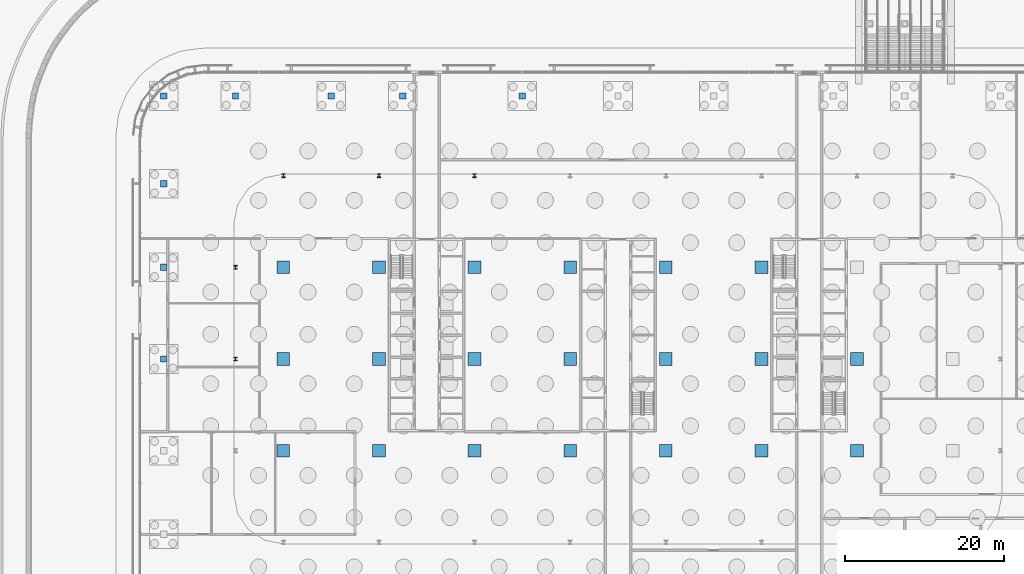
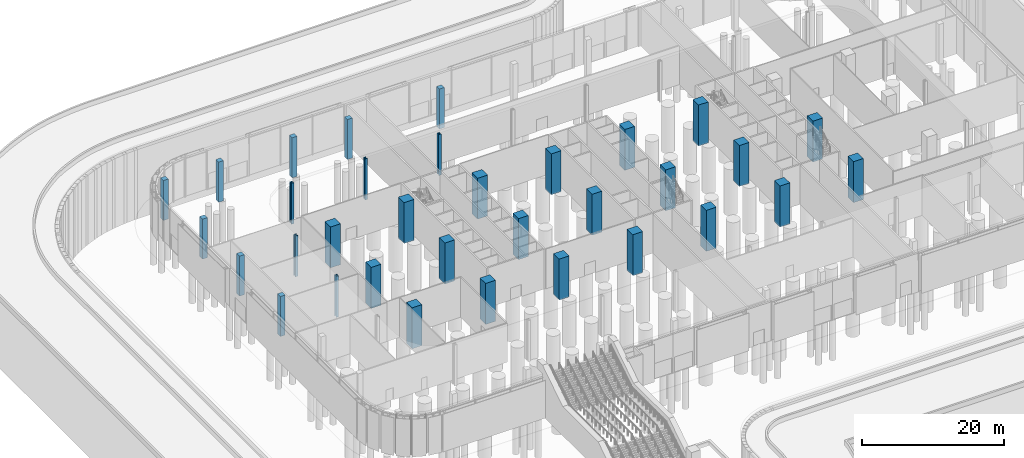
# One storey, part 4 of 48: 33 columns.
"""IFC4 building model written with IfcOpenShell, lengths in metres."""

import ifcopenshell
import ifcopenshell.guid

model = None  # the IFC model being written
_history = None  # IfcOwnerHistory: only IFC2X3 demands one
_inside = {}  # id of a spatial element -> (the spatial element, [elements in it])
_under = {}  # id of a project, library or spatial element -> (it, [spatial elements below it])
_declared = {}  # id of a project -> (the project, [libraries it declares])
_typed = {}  # id of a type object -> (the type object, [elements of that type])
_made_of = {}  # id of a material, layer set ... -> (it, [elements and type objects made of it])


def new_model(schema):
    """Start an empty IFC model of exactly this schema.

    Asked for "IFC4X3", IfcOpenShell would pick the latest addendum, in which some entities
    have other attributes; the version numbers below select the first issue.
    IFC2X3 requires an IfcOwnerHistory on every rooted entity: one is made here for all.
    """
    global model, _history
    if schema == "IFC4X3":
        model = ifcopenshell.file(schema_version=(4, 3, 0, 0))
    else:
        model = ifcopenshell.file(schema=schema)
    _inside.clear()
    _under.clear()
    _declared.clear()
    _typed.clear()
    _made_of.clear()
    _history = None
    if model.schema == "IFC2X3":
        org = make("IfcOrganization", Name="unknown")
        user = make(
            "IfcPersonAndOrganization",
            ThePerson=make("IfcPerson", FamilyName="unknown"),
            TheOrganization=org,
        )
        app = make(
            "IfcApplication",
            ApplicationDeveloper=org,
            Version="unknown",
            ApplicationFullName="unknown",
            ApplicationIdentifier="unknown",
        )
        _history = make(
            "IfcOwnerHistory",
            OwningUser=user,
            OwningApplication=app,
            ChangeAction="ADDED",
            CreationDate=0,
        )
    return model


def make(cls, **values):
    """One entity of the class cls with the attributes given. An attribute that is None is left unset."""
    return model.create_entity(
        cls, **{name: value for name, value in values.items() if value is not None}
    )


def rooted(cls, **values):
    """An entity with a GlobalId (a new one), such as an element, a storey or a relation."""
    return make(cls, GlobalId=ifcopenshell.guid.new(), OwnerHistory=_history, **values)


def si_unit(unit_type, name, prefix=None):
    """IfcSIUnit, for example si_unit("LENGTHUNIT", "METRE", prefix="MILLI")."""
    return make("IfcSIUnit", UnitType=unit_type, Prefix=prefix, Name=name)


def assignment(units):
    """IfcUnitAssignment: the units of a project."""
    return None if units is None else make("IfcUnitAssignment", Units=units)


def point(xyz):
    """IfcCartesianPoint."""
    return None if xyz is None else make("IfcCartesianPoint", Coordinates=xyz)


def direction(xyz):
    """IfcDirection."""
    return None if xyz is None else make("IfcDirection", DirectionRatios=xyz)


def frame(location, z_axis=None, x_axis=None):
    """IfcAxis2Placement3D, a coordinate frame: its origin and axes. An axis left out is left unset."""
    return make(
        "IfcAxis2Placement3D",
        Location=point(location),
        Axis=direction(z_axis),
        RefDirection=direction(x_axis),
    )


def frame_2d(location, x_axis=None):
    """IfcAxis2Placement2D, a coordinate frame in the plane: its origin and x axis."""
    return make(
        "IfcAxis2Placement2D", Location=point(location), RefDirection=direction(x_axis)
    )


def origin():
    """The frame at (0, 0, 0) with its axes left unset."""
    return frame((0.0, 0.0, 0.0))


def origin_2d():
    """The frame at (0, 0) in the plane with its x axis left unset."""
    return frame_2d((0.0, 0.0))


def place(relative_to, where):
    """IfcLocalPlacement: puts the frame where relative to a parent placement (None: the world)."""
    return make(
        "IfcLocalPlacement", PlacementRelTo=relative_to, RelativePlacement=where
    )


def context(
    kind, dimensions, precision=None, world=None, true_north=None, identifier=None
):
    """IfcGeometricRepresentationContext, for example the 3D "Model" context."""
    return make(
        "IfcGeometricRepresentationContext",
        ContextIdentifier=identifier,
        ContextType=kind,
        CoordinateSpaceDimension=dimensions,
        Precision=precision,
        WorldCoordinateSystem=world,
        TrueNorth=true_north,
    )


def subcontext(parent, identifier, kind, view, scale=None):
    """IfcGeometricRepresentationSubContext, for example "Body" below "Model"."""
    return make(
        "IfcGeometricRepresentationSubContext",
        ContextIdentifier=identifier,
        ContextType=kind,
        ParentContext=parent,
        TargetScale=scale,
        TargetView=view,
    )


def project(units=None, contexts=None):
    """IfcProject with its units and contexts."""
    return rooted(
        "IfcProject",
        Name="project",
        RepresentationContexts=contexts,
        UnitsInContext=assignment(units),
    )


def spatial(cls, under=None, at=None, **own):
    """A site, building, storey or space (cls), placed at a placement, below another one or the project."""
    s = rooted(cls, ObjectPlacement=at, **own)
    if under is not None:
        _under.setdefault(under.id(), (under, []))[1].append(s)
    return s


def profile(cls, at=None, kind="AREA", **sizes):
    """A parametric profile (cls). Its sizes go by their IFC names, for example OverallWidth=200.0."""
    return make(cls, ProfileType=kind, Position=at, **sizes)


def rectangle(**sizes):
    """IfcRectangleProfileDef."""
    return profile("IfcRectangleProfileDef", **sizes)


def i_section(**sizes):
    """IfcIShapeProfileDef."""
    return profile("IfcIShapeProfileDef", **sizes)


def extrude(swept, where, along, depth):
    """IfcExtrudedAreaSolid: the profile swept, set in the frame where, extruded along a direction by depth."""
    return make(
        "IfcExtrudedAreaSolid",
        SweptArea=swept,
        Position=where,
        ExtrudedDirection=direction(along),
        Depth=depth,
    )


def shape(context_of_items, identifier, shape_type, items):
    """IfcShapeRepresentation: the items that make up one representation, for example the "Body"."""
    return make(
        "IfcShapeRepresentation",
        ContextOfItems=context_of_items,
        RepresentationIdentifier=identifier,
        RepresentationType=shape_type,
        Items=items,
    )


def material(Name=None, Category=None):
    """IfcMaterial."""
    return make("IfcMaterial", Name=Name, Category=Category)


def material_profile(
    of_material, cross_section, Name=None, Category=None, Priority=None
):
    """IfcMaterialProfile: a cross section and its material."""
    return make(
        "IfcMaterialProfile",
        Name=Name,
        Material=of_material,
        Profile=cross_section,
        Priority=Priority,
        Category=Category,
    )


def profile_set(profiles, Name=None, composite=None):
    """IfcMaterialProfileSet."""
    return make(
        "IfcMaterialProfileSet",
        Name=Name,
        MaterialProfiles=profiles,
        CompositeProfile=composite,
    )


def made_of(thing, what):
    """Note that an element or type object is made of a material, layer set ...; save() writes the relation."""
    if what is not None:
        _made_of.setdefault(what.id(), (what, []))[1].append(thing)
    return thing


def type_object(cls, material=None, **own):
    """A type object (cls), such as IfcWallType, which elements share."""
    return made_of(rooted(cls, **own), material)


def element(
    cls,
    number,
    at=None,
    inside=None,
    cuts=None,
    type_object=None,
    material=None,
    context=None,
    identifier="Body",
    shape_type=None,
    held_by="IfcProductDefinitionShape",
    body=None,
    shapes=None,
    **own,
):
    """One element of the class cls, such as IfcWall. Its Tag is "e" and its number.

    at: its placement. inside: the storey or other place that contains it. cuts: it is an
    opening in that element (IfcRelVoidsElement). A single representation is given by context,
    identifier, shape_type and body (its items); several are given by shapes. held_by: the class
    of the entity that holds the representations. save() writes the other relations.
    """
    e = rooted(cls, Tag="e%d" % number, ObjectPlacement=at, **own)
    if body is not None:
        shapes = [shape(context, identifier, shape_type, body)]
    if shapes is not None:
        e.Representation = make(held_by, Representations=shapes)
    if inside is not None:
        _inside.setdefault(inside.id(), (inside, []))[1].append(e)
    if cuts is not None:
        rooted(
            "IfcRelVoidsElement", RelatingBuildingElement=cuts, RelatedOpeningElement=e
        )
    if type_object is not None:
        _typed.setdefault(type_object.id(), (type_object, []))[1].append(e)
    return made_of(e, material)


def aggregate(whole, parts):
    """IfcRelAggregates: a whole, such as a stair, and the parts it consists of."""
    return rooted("IfcRelAggregates", RelatingObject=whole, RelatedObjects=parts)


def save(model, path):
    """Write the relations noted so far, then the file.

    IfcRelAggregates (storeys below a building ...), IfcRelContainedInSpatialStructure (elements
    in a storey), IfcRelDefinesByType, IfcRelAssociatesMaterial and IfcRelDeclares: one each for
    every whole, place, type object, material and project.
    """
    for whole, parts in _under.values():
        aggregate(whole, parts)
    for where, things in _inside.values():
        rooted(
            "IfcRelContainedInSpatialStructure",
            RelatedElements=things,
            RelatingStructure=where,
        )
    for kind, things in _typed.values():
        rooted("IfcRelDefinesByType", RelatedObjects=things, RelatingType=kind)
    for what, things in _made_of.values():
        rooted("IfcRelAssociatesMaterial", RelatedObjects=things, RelatingMaterial=what)
    for by, libraries in _declared.values():
        rooted("IfcRelDeclares", RelatingContext=by, RelatedDefinitions=libraries)
    model.write(path)


model = new_model("IFC4")

# Units and contexts
model_context = context("Model", 3, precision=1e-05, world=origin(), true_north=direction((0.0, 1.0)))
body_context = subcontext(model_context, "Body", "Model", "MODEL_VIEW")
ifc_project = project(units=[si_unit("LENGTHUNIT", "METRE"), si_unit("AREAUNIT", "SQUARE_METRE"), si_unit("VOLUMEUNIT", "CUBIC_METRE"), si_unit("PLANEANGLEUNIT", "RADIAN"), si_unit("MASSUNIT", "GRAM", prefix="KILO")], contexts=[model_context])

# Site, building, storey
site_placement = place(None, origin())
site = spatial("IfcSite", under=ifc_project, at=site_placement, CompositionType="ELEMENT")
building_placement = place(site_placement, origin())
building = spatial("IfcBuilding", under=site, at=building_placement, Name="Mahtab Terrace Research Tower", CompositionType="ELEMENT")
storey_placement = place(building_placement, origin())
storey = spatial("IfcBuildingStorey", under=building, at=storey_placement, Name="G", CompositionType="ELEMENT", Elevation=0.0)

# Columns
ifc_material_1 = material(Name="Concrete C70/85", Category="concrete")
ifc_material_profile_1 = material_profile(ifc_material_1, rectangle(XDim=1.60009765625, YDim=1.60009765625, at=origin_2d()), Name="RC column 1600x1600")
ifc_profile_set_1 = profile_set([ifc_material_profile_1], Name="Concrete C70/85")
column_type_1 = type_object("IfcColumnType", Name="RC column 1600x1600", PredefinedType="COLUMN", material=ifc_profile_set_1)
for number, where, z_axis, x_axis, name in (
    (1, (-42.0, -11.5, -0.199951171875), (0.0, 0.0, 1.0), (1.0, 0.0, 0.0), "Column RC-1A G"),
    (2, (-42.0, 0.0, -0.199951171875), (0.0, 0.0, 1.0), (1.0, 0.0, 0.0), "Column RC-1B G"),
    (3, (-42.0, 11.5, -0.199951171875), (0.0, 0.0, 1.0), (1.0, 0.0, 0.0), "Column RC-1C G"),
    (4, (-30.0, -11.5, -0.199951171875), (0.0, 0.0, 1.0), (1.0, 0.0, 0.0), "Column RC-2A G"),
    (5, (-30.0, 0.0, -0.199951171875), (0.0, 0.0, 1.0), (1.0, 0.0, 0.0), "Column RC-2B G"),
    (6, (-30.0, 11.5, -0.199951171875), (0.0, 0.0, 1.0), (1.0, 0.0, 0.0), "Column RC-2C G"),
    (7, (-18.0, -11.5, -0.199951171875), (0.0, 0.0, 1.0), (1.0, 0.0, 0.0), "Column RC-3A G"),
    (8, (-18.0, 0.0, -0.199951171875), (0.0, 0.0, 1.0), (1.0, 0.0, 0.0), "Column RC-3B G"),
    (9, (-18.0, 11.5, -0.199951171875), (0.0, 0.0, 1.0), (1.0, 0.0, 0.0), "Column RC-3C G"),
    (10, (-6.0, -11.5, -0.199951171875), (0.0, 0.0, 1.0), (1.0, 0.0, 0.0), "Column RC-4A G"),
    (11, (-6.0, 0.0, -0.199951171875), (0.0, 0.0, 1.0), (1.0, 0.0, 0.0), "Column RC-4B G"),
    (12, (-6.0, 11.5, -0.199951171875), (0.0, 0.0, 1.0), (1.0, 0.0, 0.0), "Column RC-4C G"),
    (13, (6.0, -11.5, -0.199951171875), (0.0, 0.0, 1.0), (1.0, 0.0, 0.0), "Column RC-5A G"),
    (14, (6.0, 0.0, -0.199951171875), (0.0, 0.0, 1.0), (1.0, 0.0, 0.0), "Column RC-5B G"),
    (15, (6.0, 11.5, -0.199951171875), (0.0, 0.0, 1.0), (1.0, 0.0, 0.0), "Column RC-5C G"),
    (16, (18.0, -11.5, -0.199951171875), (0.0, 0.0, 1.0), (1.0, 0.0, 0.0), "Column RC-6A G"),
    (17, (18.0, 0.0, -0.199951171875), (0.0, 0.0, 1.0), (1.0, 0.0, 0.0), "Column RC-6B G"),
    (18, (18.0, 11.5, -0.199951171875), (0.0, 0.0, 1.0), (1.0, 0.0, 0.0), "Column RC-6C G"),
    (19, (30.0, -11.5, -0.199951171875), (0.0, 0.0, 1.0), (1.0, 0.0, 0.0), "Column RC-7A G"),
    (20, (30.0, 0.0, -0.199951171875), (0.0, 0.0, 1.0), (1.0, 0.0, 0.0), "Column RC-7B G"),
):
    element("IfcColumn", number, at=place(storey_placement, frame(where, z_axis=z_axis, x_axis=x_axis)), inside=storey, type_object=column_type_1, Name=name, PredefinedType="COLUMN", context=body_context, shape_type="SweptSolid", body=[
        extrude(rectangle(XDim=1.60009765625, YDim=1.60009765625, at=origin_2d()), origin(), (0.0, 0.0, 1.0), 7.06005859375),
    ])
ifc_material_profile_2 = material_profile(ifc_material_1, rectangle(XDim=0.800048828125, YDim=0.800048828125, at=origin_2d()), Name="RC column 800 deck")
ifc_profile_set_2 = profile_set([ifc_material_profile_2], Name="Concrete C70/85")
column_type_2 = type_object("IfcColumnType", Name="RC column 800 deck", PredefinedType="COLUMN", material=ifc_profile_set_2)
for number, where, z_axis, x_axis, name in (
    (21, (-57.0, 33.0, -0.199951171875), (0.0, 0.0, 1.0), (1.0, 0.0, 0.0), "Deck column DC-12"),
    (22, (-48.0, 33.0, -0.199951171875), (0.0, 0.0, 1.0), (1.0, 0.0, 0.0), "Deck column DC-13"),
    (23, (-36.0, 33.0, -0.199951171875), (0.0, 0.0, 1.0), (1.0, 0.0, 0.0), "Deck column DC-14"),
    (24, (-27.0, 33.0, -0.199951171875), (0.0, 0.0, 1.0), (1.0, 0.0, 0.0), "Deck column DC-15"),
    (25, (-12.0, 33.0, -0.199951171875), (0.0, 0.0, 1.0), (1.0, 0.0, 0.0), "Deck column DC-16"),
    (26, (-57.0, 0.0, -0.199951171875), (0.0, 0.0, 1.0), (1.0, 0.0, 0.0), "Deck column DC-25"),
    (27, (-57.0, 11.5, -0.199951171875), (0.0, 0.0, 1.0), (1.0, 0.0, 0.0), "Deck column DC-26"),
    (28, (-57.0, 22.0, -0.199951171875), (0.0, 0.0, 1.0), (1.0, 0.0, 0.0), "Deck column DC-27"),
):
    element("IfcColumn", number, at=place(storey_placement, frame(where, z_axis=z_axis, x_axis=x_axis)), inside=storey, type_object=column_type_2, Name=name, PredefinedType="COLUMN", context=body_context, shape_type="SweptSolid", body=[
        extrude(rectangle(XDim=0.800048828125, YDim=0.800048828125, at=origin_2d()), origin(), (0.0, 0.0, 1.0), 6.89990234375),
    ])
ifc_material_2 = material(Name="Steel ASTM A992 Gr 50", Category="steel")
ifc_material_profile_3 = material_profile(ifc_material_2, i_section(OverallWidth=0.431884765625, OverallDepth=0.497802734375, WebThickness=0.0556640625, FlangeThickness=0.0888671875, at=origin_2d()), Name="W14X500")
ifc_profile_set_3 = profile_set([ifc_material_profile_3], Name="Steel ASTM A992 Gr 50")
column_type_3 = type_object("IfcColumnType", Name="W14x500 column CS14500", PredefinedType="COLUMN", material=ifc_profile_set_3)
for number, where, z_axis, x_axis, name in (
    (29, (-18.0, 23.0, -0.199951171875), (0.0, 0.0, 1.0), (1.0, 0.0, 0.0), "Column SC-006 G"),
    (30, (-30.0, 23.0, -0.199951171875), (0.0, 0.0, 1.0), (1.0, 0.0, 0.0), "Column SC-007 G"),
    (31, (-42.0, 23.0, -0.199951171875), (0.0, 0.0, 1.0), (1.0, 0.0, 0.0), "Column SC-008 G"),
    (32, (-48.0, 11.5, -0.199951171875), (0.0, 0.0, 1.0), (1.0, 0.0, 0.0), "Column SC-009 G"),
    (33, (-48.0, 0.0, -0.199951171875), (0.0, 0.0, 1.0), (1.0, 0.0, 0.0), "Column SC-010 G"),
):
    element("IfcColumn", number, at=place(storey_placement, frame(where, z_axis=z_axis, x_axis=x_axis)), inside=storey, type_object=column_type_3, Name=name, PredefinedType="COLUMN", context=body_context, shape_type="SweptSolid", body=[
        extrude(i_section(OverallWidth=0.431884765625, OverallDepth=0.497802734375, WebThickness=0.0556640625, FlangeThickness=0.0888671875, at=origin_2d()), origin(), (0.0, 0.0, 1.0), 7.06005859375),
    ])

save(model, "model.ifc")
